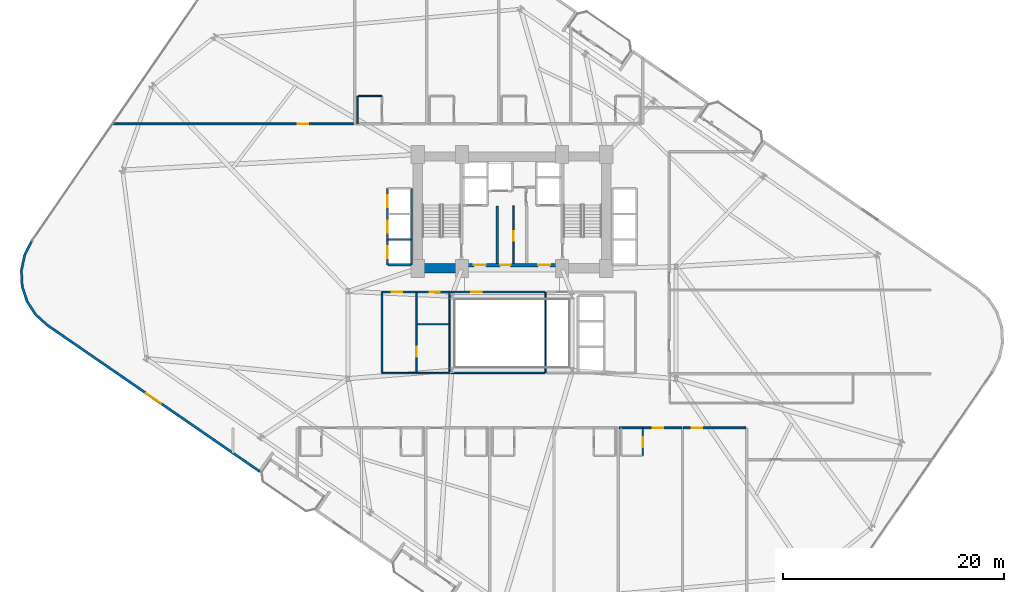
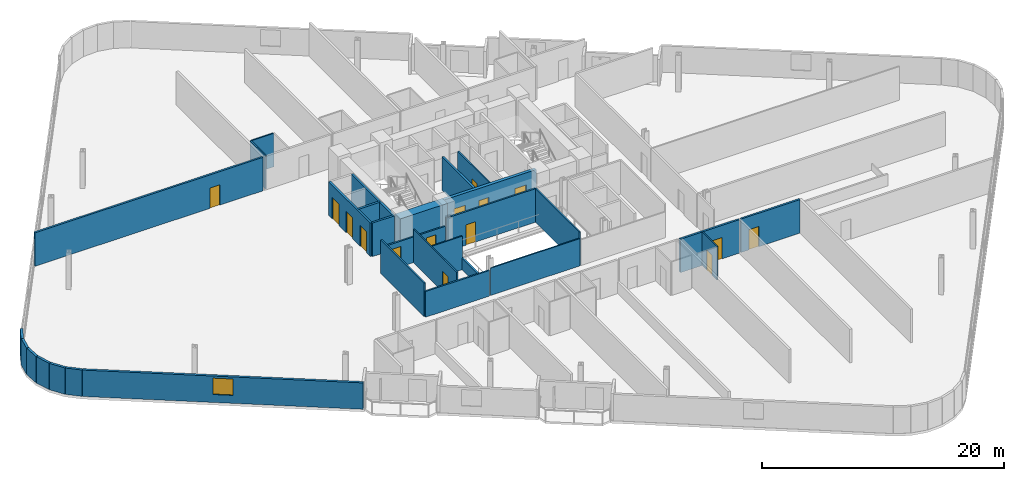
# One storey, part 18 of 24: 30 walls, 15 doors, 1 window, 16 openings.
"""IFC4 building model written with IfcOpenShell, lengths in metres."""

from ifc_helpers import new_model, si_unit, direction, frame, frame_2d, origin, place, context, subcontext, project, spatial, rectangle, extrude, material, layer, layer_set, type_object, element, fill, save


model = new_model("IFC4")

# Units and contexts
model_context = context("Model", 3, precision=1e-05, world=origin(), true_north=direction((0.0, 1.0)))
body_context = subcontext(model_context, "Body", "Model", "MODEL_VIEW")
ifc_project = project(units=[si_unit("LENGTHUNIT", "METRE"), si_unit("AREAUNIT", "SQUARE_METRE"), si_unit("VOLUMEUNIT", "CUBIC_METRE"), si_unit("PLANEANGLEUNIT", "RADIAN"), si_unit("MASSUNIT", "GRAM", prefix="KILO")], contexts=[model_context])

# Site, building, storey
site_placement = place(None, origin())
site = spatial("IfcSite", under=ifc_project, at=site_placement, CompositionType="ELEMENT")
building_placement = place(site_placement, origin())
building = spatial("IfcBuilding", under=site, at=building_placement, Name="Varnelok Gate Tower", CompositionType="ELEMENT")
storey_placement = place(building_placement, frame((0.0, 0.0, 67.699951171875)))
storey = spatial("IfcBuildingStorey", under=building, at=storey_placement, Name="L16", CompositionType="ELEMENT", Elevation=67.699951171875)

# Walls
ifc_material_1 = material(Name="Concrete C45/55", Category="concrete")
ifc_layer_1 = layer(ifc_material_1, 0.219970703125)
ifc_layer_set_1 = layer_set([ifc_layer_1], Name="Concrete C45/55")
wall_type_1 = type_object("IfcWallType", Name="EW-BALC-220", PredefinedType="SOLIDWALL", material=ifc_layer_set_1)
wall_1_placement = place(storey_placement, frame((-4.158203125, 31.24462890625, 0.0), z_axis=(0.0, 0.0, 1.0), x_axis=(-0.454777156549, -0.890605264908, 0.0)))
element("IfcWall", 1, at=wall_1_placement, inside=storey, type_object=wall_type_1, Name="L16 Perimeter Facade Closure Wall 1", PredefinedType="SOLIDWALL", context=body_context, shape_type="SweptSolid", body=[
    extrude(rectangle(XDim=1.43017578125, YDim=0.219970703125, at=frame_2d((0.715087890625, 0.0))), origin(), (0.0, 0.0, 1.0), 2.66015625),
])
for number, where, z_axis, x_axis, name in (
    (2, (-4.81396484375, 29.946533203125, 0.0), (0.0, 0.0, 1.0), (-0.208829011645, -0.977952168511, 0.0), "L16 Perimeter Facade Closure Wall 2"),
    (3, (-5.106201171875, 28.547119140625, 0.0), (0.0, 0.0, 1.0), (0.051254741739, -0.998685611917, 0.0), "L16 Perimeter Facade Closure Wall 3"),
    (4, (-5.026611328125, 27.1201171875, 0.0), (0.0, 0.0, 1.0), (0.308190297603, -0.95132472924, 0.0), "L16 Perimeter Facade Closure Wall 4"),
    (5, (-4.580078125, 25.76220703125, 0.0), (0.0, 0.0, 1.0), (0.543748195851, -0.839248413468, 0.0), "L16 Perimeter Facade Closure Wall 5"),
):
    element("IfcWall", number, at=place(storey_placement, frame(where, z_axis=z_axis, x_axis=x_axis)), inside=storey, type_object=wall_type_1, Name=name, PredefinedType="SOLIDWALL", context=body_context, shape_type="SweptSolid", body=[
        extrude(rectangle(XDim=1.4052734375, YDim=0.219970703125, at=frame_2d((0.70263671875, 0.0))), origin(), (0.0, 0.0, 1.0), 2.66015625),
    ])
wall_2_placement = place(storey_placement, frame((-3.79736328125, 24.56591796875, 0.0), z_axis=(0.0, 0.0, 1.0), x_axis=(0.742537711837, -0.66980425984, 0.0)))
element("IfcWall", 6, at=wall_2_placement, inside=storey, type_object=wall_type_1, Name="L16 Perimeter Facade Closure Wall 6", PredefinedType="SOLIDWALL", context=body_context, shape_type="SweptSolid", body=[
    extrude(rectangle(XDim=1.4130859375, YDim=0.219970703125, at=frame_2d((0.70654296875, 0.0))), origin(), (0.0, 0.0, 1.0), 2.66015625),
])

# Wall, opening, window
wall_3_placement = place(storey_placement, frame((-2.7275390625, 23.60498046875, 0.0), z_axis=(0.0, 0.0, 1.0), x_axis=(0.823535075462, -0.567265351915, 0.0)))
wall_3 = element("IfcWall", 7, at=wall_3_placement, inside=storey, type_object=wall_type_1, Name="L16 Perimeter Facade Closure Wall 7", PredefinedType="SOLIDWALL", context=body_context, shape_type="SweptSolid", body=[
    extrude(rectangle(XDim=23.2470703125, YDim=0.219970703125, at=frame_2d((11.62353515625, 0.0))), origin(), (0.0, 0.0, 1.0), 2.66015625),
])
opening_1_placement = place(wall_3_placement, frame((10.798583984375, 0.0, 0.800048828125)))
opening_1 = element("IfcOpeningElement", 8, at=opening_1_placement, cuts=wall_3, Name="Opening WN3", PredefinedType="OPENING", context=body_context, shape_type="SweptSolid", body=[
    extrude(rectangle(XDim=1.64990234375, YDim=1.64990234375, at=frame_2d((0.824951171875, 0.824951171875))), frame((0.0, 0.119873046875, 0.0), z_axis=(0.0, -1.0, 0.0), x_axis=(1.0, 0.0, 0.0)), (0.0, 0.0, 1.0), 0.239990234375),
])
ifc_material_2 = material(Name="Low-E Laminated Double Glazing IGU", Category="glass")
window_type = type_object("IfcWindowType", Name="WN-HTL-1650", PartitioningType="SINGLE_PANEL", PredefinedType="WINDOW", material=ifc_material_2)
window_placement = place(opening_1_placement, origin())
window = element("IfcWindow", 9, at=window_placement, inside=storey, type_object=window_type, Name="L16 Perimeter Vision Window 7", OverallHeight=1.64990234375, OverallWidth=1.64990234375, PartitioningType="SINGLE_PANEL", PredefinedType="WINDOW", context=body_context, shape_type="SweptSolid", body=[
    extrude(rectangle(XDim=1.64990234375, YDim=1.64990234375, at=frame_2d((0.824951171875, 0.824951171875))), frame((0.0, 0.030029296875, 0.0), z_axis=(0.0, -1.0, 0.0), x_axis=(1.0, 0.0, 0.0)), (0.0, 0.0, 1.0), 0.06005859375),
])
fill(opening_1, window)

# Wall, opening, door
ifc_material_3 = material(Name="Gypsum Plasterboard Acoustic Partition", Category="gypsum")
ifc_layer_2 = layer(ifc_material_3, 0.179931640625)
ifc_layer_set_2 = layer_set([ifc_layer_2], Name="Gypsum Plasterboard Acoustic Partition")
wall_type_2 = type_object("IfcWallType", Name="PW-CORR-180", PredefinedType="PARTITIONING", material=ifc_layer_set_2)
wall_4_placement = place(storey_placement, frame((48.8798828125, 14.35009765625, 0.0), z_axis=(0.0, 0.0, 1.0), x_axis=(1.0, 0.0, 0.0)))
wall_4 = element("IfcWall", 10, at=wall_4_placement, inside=storey, type_object=wall_type_2, Name="Interior Partition", PredefinedType="PARTITIONING", context=body_context, shape_type="SweptSolid", body=[
    extrude(rectangle(XDim=5.64013671875, YDim=0.179931640625, at=frame_2d((2.820068359375, 0.0))), origin(), (0.0, 0.0, 1.0), 3.380126953125),
])
opening_2_placement = place(wall_4_placement, frame((3.044677734375, 0.0, 0.0)))
opening_2 = element("IfcOpeningElement", 11, at=opening_2_placement, cuts=wall_4, Name="Opening D-HT", PredefinedType="OPENING", context=body_context, shape_type="SweptSolid", body=[
    extrude(rectangle(XDim=0.949951171875, YDim=2.14990234375, at=frame_2d((0.47509765625, 1.074951171875))), frame((0.0, 0.099853515625, 0.0), z_axis=(0.0, -1.0, 0.0), x_axis=(1.0, 0.0, 0.0)), (0.0, 0.0, 1.0), 0.199951171875),
])
ifc_material_4 = material(Name="Engineered Hardwood Timber", Category="wood")
door_type_1 = type_object("IfcDoorType", Name="DR-HTL-950", OperationType="NOTDEFINED", PredefinedType="DOOR", material=ifc_material_4)
door_1_placement = place(opening_2_placement, origin())
door_1 = element("IfcDoor", 12, at=door_1_placement, inside=storey, type_object=door_type_1, Name="L16 Guest Room 08 Entrance Door", OperationType="SINGLE_SWING_LEFT", OverallHeight=2.14990234375, OverallWidth=0.949951171875, PredefinedType="DOOR", context=body_context, shape_type="SweptSolid", body=[
    extrude(rectangle(XDim=0.949951171875, YDim=2.14990234375, at=frame_2d((0.47509765625, 1.074951171875))), frame((0.0, 0.02490234375, 0.0), z_axis=(0.0, -1.0, 0.0), x_axis=(1.0, 0.0, 0.0)), (0.0, 0.0, 1.0), 0.050048828125),
])
fill(opening_2, door_1)

wall_5_placement = place(storey_placement, frame((54.679931640625, 14.35009765625, 0.0), z_axis=(0.0, 0.0, 1.0), x_axis=(1.0, 0.0, 0.0)))
wall_5 = element("IfcWall", 13, at=wall_5_placement, inside=storey, type_object=wall_type_2, Name="Interior Partition", PredefinedType="PARTITIONING", context=body_context, shape_type="SweptSolid", body=[
    extrude(rectangle(XDim=5.64013671875, YDim=0.179931640625, at=frame_2d((2.820068359375, 0.0))), origin(), (0.0, 0.0, 1.0), 3.380126953125),
])
opening_3_placement = place(wall_5_placement, frame((0.751220703125, 0.0, 0.0)))
opening_3 = element("IfcOpeningElement", 14, at=opening_3_placement, cuts=wall_5, Name="Opening D-I2", PredefinedType="OPENING", context=body_context, shape_type="SweptSolid", body=[
    extrude(rectangle(XDim=0.949951171875, YDim=2.050048828125, at=frame_2d((0.47509765625, 1.02490234375))), frame((0.0, 0.099853515625, 0.0), z_axis=(0.0, -1.0, 0.0), x_axis=(1.0, 0.0, 0.0)), (0.0, 0.0, 1.0), 0.199951171875),
])
door_type_2 = type_object("IfcDoorType", Name="DR-INT-950", OperationType="NOTDEFINED", PredefinedType="DOOR", material=ifc_material_4)
door_2_placement = place(opening_3_placement, origin())
door_2 = element("IfcDoor", 15, at=door_2_placement, inside=storey, type_object=door_type_2, Name="L16 Wellness Spa Lounge Door", OperationType="SINGLE_SWING_LEFT", OverallHeight=2.050048828125, OverallWidth=0.949951171875, PredefinedType="DOOR", context=body_context, shape_type="SweptSolid", body=[
    extrude(rectangle(XDim=0.949951171875, YDim=2.050048828125, at=frame_2d((0.47509765625, 1.02490234375))), frame((0.0, 0.02490234375, 0.0), z_axis=(0.0, -1.0, 0.0), x_axis=(1.0, 0.0, 0.0)), (0.0, 0.0, 1.0), 0.050048828125),
])
fill(opening_3, door_2)

wall_6_placement = place(storey_placement, frame((3.17578125, 41.800048828125, 0.0), z_axis=(0.0, 0.0, 1.0), x_axis=(1.0, 0.0, 0.0)))
wall_6 = element("IfcWall", 16, at=wall_6_placement, inside=storey, type_object=wall_type_2, Name="Interior Partition", PredefinedType="PARTITIONING", context=body_context, shape_type="SweptSolid", body=[
    extrude(rectangle(XDim=21.744140625, YDim=0.179931640625, at=frame_2d((10.8720703125, 0.0))), origin(), (0.0, 0.0, 1.0), 3.380126953125),
])
opening_4_placement = place(wall_6_placement, frame((16.689208984375, 0.0, 0.0)))
opening_4 = element("IfcOpeningElement", 17, at=opening_4_placement, cuts=wall_6, Name="Opening D-I2", PredefinedType="OPENING", context=body_context, shape_type="SweptSolid", body=[
    extrude(rectangle(XDim=0.949951171875, YDim=2.050048828125, at=frame_2d((0.47509765625, 1.02490234375))), frame((0.0, 0.099853515625, 0.0), z_axis=(0.0, -1.0, 0.0), x_axis=(1.0, 0.0, 0.0)), (0.0, 0.0, 1.0), 0.199951171875),
])
door_3_placement = place(opening_4_placement, origin())
door_3 = element("IfcDoor", 18, at=door_3_placement, inside=storey, type_object=door_type_2, Name="L16 Sky Library Door", OperationType="SINGLE_SWING_LEFT", OverallHeight=2.050048828125, OverallWidth=0.949951171875, PredefinedType="DOOR", context=body_context, shape_type="SweptSolid", body=[
    extrude(rectangle(XDim=0.949951171875, YDim=2.050048828125, at=frame_2d((0.47509765625, 1.02490234375))), frame((0.0, 0.02490234375, 0.0), z_axis=(0.0, -1.0, 0.0), x_axis=(1.0, 0.0, 0.0)), (0.0, 0.0, 1.0), 0.050048828125),
])
fill(opening_4, door_3)

ifc_layer_3 = layer(ifc_material_3, 0.114990234375)
ifc_layer_set_3 = layer_set([ifc_layer_3], Name="Gypsum Plasterboard Acoustic Partition")
wall_type_3 = type_object("IfcWallType", Name="PW-ENS-125", PredefinedType="PARTITIONING", material=ifc_layer_set_3)
wall_7_placement = place(storey_placement, frame((51.011962890625, 11.830078125, 0.0), z_axis=(0.0, 0.0, 1.0), x_axis=(0.0, 1.0, 0.0)))
wall_7 = element("IfcWall", 19, at=wall_7_placement, inside=storey, type_object=wall_type_3, Name="Interior Partition", PredefinedType="PARTITIONING", context=body_context, shape_type="SweptSolid", body=[
    extrude(rectangle(XDim=2.52001953125, YDim=0.114990234375, at=frame_2d((1.260009765625, 0.0))), origin(), (0.0, 0.0, 1.0), 3.380126953125),
])
opening_5_placement = place(wall_7_placement, frame((0.760009765625, 0.0, 0.0)))
opening_5 = element("IfcOpeningElement", 20, at=opening_5_placement, cuts=wall_7, Name="Opening D-WC", PredefinedType="OPENING", context=body_context, shape_type="SweptSolid", body=[
    extrude(rectangle(XDim=0.89990234375, YDim=2.050048828125, at=frame_2d((0.449951171875, 1.02490234375))), frame((0.0, 0.0673828125, 0.0), z_axis=(0.0, -1.0, 0.0), x_axis=(1.0, 0.0, 0.0)), (0.0, 0.0, 1.0), 0.135009765625),
])
door_type_3 = type_object("IfcDoorType", Name="DR-BATH-900", OperationType="NOTDEFINED", PredefinedType="DOOR", material=ifc_material_4)
door_4_placement = place(opening_5_placement, origin())
door_4 = element("IfcDoor", 21, at=door_4_placement, inside=storey, type_object=door_type_3, Name="L16 Guest En-Suite 08 Door", OperationType="SINGLE_SWING_LEFT", OverallHeight=2.050048828125, OverallWidth=0.89990234375, PredefinedType="DOOR", context=body_context, shape_type="SweptSolid", body=[
    extrude(rectangle(XDim=0.89990234375, YDim=2.050048828125, at=frame_2d((0.449951171875, 1.02490234375))), frame((0.0, 0.02490234375, 0.0), z_axis=(0.0, -1.0, 0.0), x_axis=(1.0, 0.0, 0.0)), (0.0, 0.0, 1.0), 0.050048828125),
])
fill(opening_5, door_4)

# Walls
wall_8_placement = place(storey_placement, frame((25.300048828125, 44.320068359375, 0.0), z_axis=(0.0, 0.0, 1.0), x_axis=(1.0, 0.0, 0.0)))
element("IfcWall", 22, at=wall_8_placement, inside=storey, type_object=wall_type_3, Name="Interior Partition", PredefinedType="PARTITIONING", context=body_context, shape_type="SweptSolid", body=[
    extrude(rectangle(XDim=2.1240234375, YDim=0.114990234375, at=frame_2d((1.06201171875, 0.0))), origin(), (0.0, 0.0, 1.0), 3.380126953125),
])
wall_9_placement = place(storey_placement, frame((25.260009765625, 41.800048828125, 0.0), z_axis=(0.0, 0.0, 1.0), x_axis=(0.0, 1.0, 0.0)))
element("IfcWall", 23, at=wall_9_placement, inside=storey, type_object=wall_type_3, Name="Interior Partition", PredefinedType="PARTITIONING", context=body_context, shape_type="SweptSolid", body=[
    extrude(rectangle(XDim=2.52001953125, YDim=0.114990234375, at=frame_2d((1.260009765625, 0.0))), origin(), (0.0, 0.0, 1.0), 3.380126953125),
])
ifc_layer_4 = layer(ifc_material_3, 0.125)
ifc_layer_set_4 = layer_set([ifc_layer_4], Name="Gypsum Plasterboard Acoustic Partition")
wall_type_4 = type_object("IfcWallType", Name="PW-PART-125", PredefinedType="PARTITIONING", material=ifc_layer_set_4)
wall_10_placement = place(storey_placement, frame((33.679931640625, 19.320068359375, 0.0), z_axis=(0.0, 0.0, 1.0), x_axis=(1.0, 0.0, 0.0)))
element("IfcWall", 24, at=wall_10_placement, inside=storey, type_object=wall_type_4, Name="Interior Partition", PredefinedType="PARTITIONING", context=body_context, shape_type="SweptSolid", body=[
    extrude(rectangle(XDim=8.5, YDim=0.125, at=frame_2d((4.25, 0.0))), origin(), (0.0, 0.0, 1.0), 2.754150390625),
])
wall_11_placement = place(storey_placement, frame((42.219970703125, 19.320068359375, 0.0), z_axis=(0.0, 0.0, 1.0), x_axis=(0.0, 1.0, 0.0)))
element("IfcWall", 25, at=wall_11_placement, inside=storey, type_object=wall_type_4, Name="Interior Partition", PredefinedType="PARTITIONING", context=body_context, shape_type="SweptSolid", body=[
    extrude(rectangle(XDim=7.300048828125, YDim=0.125, at=frame_2d((3.64990234375, 0.0))), origin(), (0.0, 0.0, 1.0), 3.380126953125),
])

# Wall, opening, door
wall_12_placement = place(storey_placement, frame((39.35009765625, 29.199951171875, 0.0), z_axis=(0.0, 0.0, 1.0), x_axis=(0.0, 1.0, 0.0)))
wall_12 = element("IfcWall", 26, at=wall_12_placement, inside=storey, type_object=wall_type_4, Name="Interior Partition", PredefinedType="PARTITIONING", context=body_context, shape_type="SweptSolid", body=[
    extrude(rectangle(XDim=5.219970703125, YDim=0.125, at=frame_2d((2.60986328125, 0.0))), origin(), (0.0, 0.0, 1.0), 3.380126953125),
])
opening_6_placement = place(wall_12_placement, frame((2.050048828125, 0.0, 0.0)))
opening_6 = element("IfcOpeningElement", 27, at=opening_6_placement, cuts=wall_12, Name="Opening D-RS", PredefinedType="OPENING", context=body_context, shape_type="SweptSolid", body=[
    extrude(rectangle(XDim=0.85009765625, YDim=2.050048828125, at=frame_2d((0.425048828125, 1.02490234375))), frame((0.0, 0.072509765625, 0.0), z_axis=(0.0, -1.0, 0.0), x_axis=(1.0, 0.0, 0.0)), (0.0, 0.0, 1.0), 0.14501953125),
])
ifc_material_5 = material(Name="Galvanized Steel Grade S350GD", Category="steel")
door_type_4 = type_object("IfcDoorType", Name="DR-RISER-850", OperationType="NOTDEFINED", PredefinedType="DOOR", material=ifc_material_5)
door_5_placement = place(opening_6_placement, origin())
door_5 = element("IfcDoor", 28, at=door_5_placement, inside=storey, type_object=door_type_4, Name="L16 Housekeeping Linen Door", OperationType="SINGLE_SWING_RIGHT", OverallHeight=2.050048828125, OverallWidth=0.85009765625, PredefinedType="DOOR", context=body_context, shape_type="SweptSolid", body=[
    extrude(rectangle(XDim=0.85009765625, YDim=2.050048828125, at=frame_2d((0.425048828125, 1.02490234375))), frame((0.0, 0.02490234375, 0.0), z_axis=(0.0, -1.0, 0.0), x_axis=(1.0, 0.0, 0.0)), (0.0, 0.0, 1.0), 0.050048828125),
])
fill(opening_6, door_5)

wall_13_placement = place(storey_placement, frame((30.56005859375, 19.3798828125, 0.0), z_axis=(0.0, 0.0, 1.0), x_axis=(0.0, 1.0, 0.0)))
wall_13 = element("IfcWall", 29, at=wall_13_placement, inside=storey, type_object=wall_type_4, Name="Interior Partition", PredefinedType="PARTITIONING", context=body_context, shape_type="SweptSolid", body=[
    extrude(rectangle(XDim=7.16015625, YDim=0.125, at=frame_2d((3.580078125, 0.0))), origin(), (0.0, 0.0, 1.0), 3.380126953125),
])
opening_7_placement = place(wall_13_placement, frame((1.39990234375, 0.0, 0.0)))
opening_7 = element("IfcOpeningElement", 30, at=opening_7_placement, cuts=wall_13, Name="Opening D-I3", PredefinedType="OPENING", context=body_context, shape_type="SweptSolid", body=[
    extrude(rectangle(XDim=0.919921875, YDim=2.050048828125, at=frame_2d((0.4599609375, 1.02490234375))), frame((0.0, 0.072509765625, 0.0), z_axis=(0.0, -1.0, 0.0), x_axis=(1.0, 0.0, 0.0)), (0.0, 0.0, 1.0), 0.14501953125),
])
door_type_5 = type_object("IfcDoorType", Name="DR-INT-920", OperationType="NOTDEFINED", PredefinedType="DOOR", material=ifc_material_4)
door_6_placement = place(opening_7_placement, origin())
door_6 = element("IfcDoor", 31, at=door_6_placement, inside=storey, type_object=door_type_5, Name="L16 Floor Linen Store Door", OperationType="SINGLE_SWING_RIGHT", OverallHeight=2.050048828125, OverallWidth=0.919921875, PredefinedType="DOOR", context=body_context, shape_type="SweptSolid", body=[
    extrude(rectangle(XDim=0.919921875, YDim=2.050048828125, at=frame_2d((0.4599609375, 1.02490234375))), frame((0.0, 0.02490234375, 0.0), z_axis=(0.0, -1.0, 0.0), x_axis=(1.0, 0.0, 0.0)), (0.0, 0.0, 1.0), 0.050048828125),
])
fill(opening_7, door_6)

# Wall
wall_14_placement = place(storey_placement, frame((30.639892578125, 23.7099609375, 0.0), z_axis=(0.0, 0.0, 1.0), x_axis=(1.0, 0.0, 0.0)))
element("IfcWall", 32, at=wall_14_placement, inside=storey, type_object=wall_type_4, Name="Interior Partition", PredefinedType="PARTITIONING", context=body_context, shape_type="SweptSolid", body=[
    extrude(rectangle(XDim=2.880126953125, YDim=0.125, at=frame_2d((1.43994140625, 0.0))), origin(), (0.0, 0.0, 1.0), 3.380126953125),
])

# Wall, opening, door
ifc_layer_5 = layer(ifc_material_3, 0.14990234375)
ifc_layer_set_5 = layer_set([ifc_layer_5], Name="Gypsum Plasterboard Acoustic Partition")
wall_type_5 = type_object("IfcWallType", Name="PW-PART-150", PredefinedType="PARTITIONING", material=ifc_layer_set_5)
wall_15_placement = place(storey_placement, frame((33.679931640625, 26.6201171875, 0.0), z_axis=(0.0, 0.0, 1.0), x_axis=(1.0, 0.0, 0.0)))
wall_15 = element("IfcWall", 33, at=wall_15_placement, inside=storey, type_object=wall_type_5, Name="Interior Partition", PredefinedType="PARTITIONING", context=body_context, shape_type="SweptSolid", body=[
    extrude(rectangle(XDim=8.5, YDim=0.14990234375, at=frame_2d((4.25, 0.0))), origin(), (0.0, 0.0, 1.0), 3.380126953125),
])
opening_8_placement = place(wall_15_placement, frame((1.85009765625, 0.0, 0.0)))
opening_8 = element("IfcOpeningElement", 34, at=opening_8_placement, cuts=wall_15, Name="Opening D-I3", PredefinedType="OPENING", context=body_context, shape_type="SweptSolid", body=[
    extrude(rectangle(XDim=0.919921875, YDim=2.050048828125, at=frame_2d((0.4599609375, 1.02490234375))), frame((0.0, 0.0849609375, 0.0), z_axis=(0.0, -1.0, 0.0), x_axis=(1.0, 0.0, 0.0)), (0.0, 0.0, 1.0), 0.169921875),
])
door_7_placement = place(opening_8_placement, origin())
door_7 = element("IfcDoor", 35, at=door_7_placement, inside=storey, type_object=door_type_5, Name="L16 Concierge Reading Salon Door", OperationType="SINGLE_SWING_RIGHT", OverallHeight=2.050048828125, OverallWidth=0.919921875, PredefinedType="DOOR", context=body_context, shape_type="SweptSolid", body=[
    extrude(rectangle(XDim=0.919921875, YDim=2.050048828125, at=frame_2d((0.4599609375, 1.02490234375))), frame((0.0, 0.02490234375, 0.0), z_axis=(0.0, -1.0, 0.0), x_axis=(1.0, 0.0, 0.0)), (0.0, 0.0, 1.0), 0.050048828125),
])
fill(opening_8, door_7)

# Wall, openings, doors
wall_16_placement = place(storey_placement, frame((27.4599609375, 26.6201171875, 0.0), z_axis=(0.0, 0.0, 1.0), x_axis=(1.0, 0.0, 0.0)))
wall_16 = element("IfcWall", 36, at=wall_16_placement, inside=storey, type_object=wall_type_5, Name="Interior Partition", PredefinedType="PARTITIONING", context=body_context, shape_type="SweptSolid", body=[
    extrude(rectangle(XDim=6.10009765625, YDim=0.14990234375, at=frame_2d((3.050048828125, 0.0))), origin(), (0.0, 0.0, 1.0), 2.592041015625),
])
opening_9_placement = place(wall_16_placement, frame((0.89990234375, 0.0, 0.0)))
opening_9 = element("IfcOpeningElement", 37, at=opening_9_placement, cuts=wall_16, Name="Opening D-I2", PredefinedType="OPENING", context=body_context, shape_type="SweptSolid", body=[
    extrude(rectangle(XDim=0.949951171875, YDim=2.050048828125, at=frame_2d((0.47509765625, 1.02490234375))), frame((0.0, 0.0849609375, 0.0), z_axis=(0.0, -1.0, 0.0), x_axis=(1.0, 0.0, 0.0)), (0.0, 0.0, 1.0), 0.169921875),
])
opening_10_placement = place(wall_16_placement, frame((4.302978515625, 0.0, 0.0)))
opening_10 = element("IfcOpeningElement", 38, at=opening_10_placement, cuts=wall_16, Name="Opening D-WC", PredefinedType="OPENING", context=body_context, shape_type="SweptSolid", body=[
    extrude(rectangle(XDim=0.89990234375, YDim=2.050048828125, at=frame_2d((0.449951171875, 1.02490234375))), frame((0.0, 0.0849609375, 0.0), z_axis=(0.0, -1.0, 0.0), x_axis=(1.0, 0.0, 0.0)), (0.0, 0.0, 1.0), 0.169921875),
])
door_8_placement = place(opening_10_placement, origin())
door_8 = element("IfcDoor", 39, at=door_8_placement, inside=storey, type_object=door_type_3, Name="L16 Accessible Floor WC Door", OperationType="SINGLE_SWING_LEFT", OverallHeight=2.050048828125, OverallWidth=0.89990234375, PredefinedType="DOOR", context=body_context, shape_type="SweptSolid", body=[
    extrude(rectangle(XDim=0.89990234375, YDim=2.050048828125, at=frame_2d((0.449951171875, 1.02490234375))), frame((0.0, 0.02490234375, 0.0), z_axis=(0.0, -1.0, 0.0), x_axis=(1.0, 0.0, 0.0)), (0.0, 0.0, 1.0), 0.050048828125),
])
fill(opening_10, door_8)
door_9_placement = place(opening_9_placement, origin())
door_9 = element("IfcDoor", 40, at=door_9_placement, inside=storey, type_object=door_type_2, Name="L16 Sky Library Door", OperationType="SINGLE_SWING_RIGHT", OverallHeight=2.050048828125, OverallWidth=0.949951171875, PredefinedType="DOOR", context=body_context, shape_type="SweptSolid", body=[
    extrude(rectangle(XDim=0.949951171875, YDim=2.050048828125, at=frame_2d((0.47509765625, 1.02490234375))), frame((0.0, 0.02490234375, 0.0), z_axis=(0.0, -1.0, 0.0), x_axis=(1.0, 0.0, 0.0)), (0.0, 0.0, 1.0), 0.050048828125),
])
fill(opening_9, door_9)

# Walls
wall_17_placement = place(storey_placement, frame((27.4599609375, 19.300048828125, 0.0), z_axis=(0.0, 0.0, 1.0), x_axis=(1.0, 0.0, 0.0)))
element("IfcWall", 41, at=wall_17_placement, inside=storey, type_object=wall_type_5, Name="Interior Partition", PredefinedType="PARTITIONING", context=body_context, shape_type="SweptSolid", body=[
    extrude(rectangle(XDim=6.10009765625, YDim=0.14990234375, at=frame_2d((3.050048828125, 0.0))), origin(), (0.0, 0.0, 1.0), 2.592041015625),
])
wall_18_placement = place(storey_placement, frame((27.4599609375, 19.3798828125, 0.0), z_axis=(0.0, 0.0, 1.0), x_axis=(0.0, 1.0, 0.0)))
element("IfcWall", 42, at=wall_18_placement, inside=storey, type_object=wall_type_5, Name="Interior Partition", PredefinedType="PARTITIONING", context=body_context, shape_type="SweptSolid", body=[
    extrude(rectangle(XDim=7.16015625, YDim=0.14990234375, at=frame_2d((3.580078125, 0.0))), origin(), (0.0, 0.0, 1.0), 3.380126953125),
])
wall_19_placement = place(storey_placement, frame((33.56005859375, 19.3798828125, 0.0), z_axis=(0.0, 0.0, 1.0), x_axis=(0.0, 1.0, 0.0)))
element("IfcWall", 43, at=wall_19_placement, inside=storey, type_object=wall_type_5, Name="Interior Partition", PredefinedType="PARTITIONING", context=body_context, shape_type="SweptSolid", body=[
    extrude(rectangle(XDim=7.16015625, YDim=0.14990234375, at=frame_2d((3.580078125, 0.0))), origin(), (0.0, 0.0, 1.0), 1.1650390625),
])
ifc_material_6 = material(Name="Concrete C35/45", Category="concrete")
ifc_layer_6 = layer(ifc_material_6, 0.199951171875)
ifc_layer_set_6 = layer_set([ifc_layer_6], Name="Concrete C35/45")
wall_type_6 = type_object("IfcWallType", Name="PW-SHAFT-200", PredefinedType="PARTITIONING", material=ifc_layer_set_6)
wall_20_placement = place(storey_placement, frame((37.860107421875, 29.199951171875, 0.0), z_axis=(0.0, 0.0, 1.0), x_axis=(0.0, 1.0, 0.0)))
element("IfcWall", 44, at=wall_20_placement, inside=storey, type_object=wall_type_6, Name="L16 West FF Lobby Rated Wall", PredefinedType="PARTITIONING", context=body_context, shape_type="SweptSolid", body=[
    extrude(rectangle(XDim=5.179931640625, YDim=0.199951171875, at=frame_2d((2.58984375, 0.0))), origin(), (0.0, 0.0, 1.0), 3.380126953125),
])
wall_21_placement = place(storey_placement, frame((28.02001953125, 31.375, 0.0), z_axis=(0.0, 0.0, 1.0), x_axis=(1.0, 0.0, 0.0)))
element("IfcWall", 45, at=wall_21_placement, inside=storey, type_object=wall_type_6, Name="L16 PL1 Divider", PredefinedType="PARTITIONING", context=body_context, shape_type="SweptSolid", body=[
    extrude(rectangle(XDim=2.06005859375, YDim=0.199951171875, at=frame_2d((1.030029296875, 0.0))), origin(), (0.0, 0.0, 1.0), 3.380126953125),
])
wall_22_placement = place(storey_placement, frame((28.0, 29.080078125, 0.0), z_axis=(0.0, 0.0, 1.0), x_axis=(1.0, 0.0, 0.0)))
element("IfcWall", 46, at=wall_22_placement, inside=storey, type_object=wall_type_6, Name="L16 PL Bank South Wall", PredefinedType="PARTITIONING", context=body_context, shape_type="SweptSolid", body=[
    extrude(rectangle(XDim=2.10009765625, YDim=0.199951171875, at=frame_2d((1.050048828125, 0.0))), origin(), (0.0, 0.0, 1.0), 3.380126953125),
])
wall_23_placement = place(storey_placement, frame((30.1201171875, 29.080078125, 0.0), z_axis=(0.0, 0.0, 1.0), x_axis=(0.0, 1.0, 0.0)))
element("IfcWall", 47, at=wall_23_placement, inside=storey, type_object=wall_type_6, Name="L16 PL Bank Back Wall", PredefinedType="PARTITIONING", context=body_context, shape_type="SweptSolid", body=[
    extrude(rectangle(XDim=6.889892578125, YDim=0.199951171875, at=frame_2d((3.44482421875, 0.0))), origin(), (0.0, 0.0, 1.0), 3.380126953125),
])

# Wall, openings, doors
wall_24_placement = place(storey_placement, frame((27.9599609375, 29.080078125, 0.0), z_axis=(0.0, 0.0, 1.0), x_axis=(0.0, 1.0, 0.0)))
wall_24 = element("IfcWall", 48, at=wall_24_placement, inside=storey, type_object=wall_type_6, Name="L16 PL Bank Front Wall", PredefinedType="PARTITIONING", context=body_context, shape_type="SweptSolid", body=[
    extrude(rectangle(XDim=6.889892578125, YDim=0.199951171875, at=frame_2d((3.44482421875, 0.0))), origin(), (0.0, 0.0, 1.0), 3.380126953125),
])
opening_11_placement = place(wall_24_placement, frame((0.590087890625, 0.0, 0.0)))
opening_11 = element("IfcOpeningElement", 49, at=opening_11_placement, cuts=wall_24, Name="Opening LD-PL1", PredefinedType="OPENING", context=body_context, shape_type="SweptSolid", body=[
    extrude(rectangle(XDim=1.10009765625, YDim=2.14990234375, at=frame_2d((0.550048828125, 1.074951171875))), frame((0.0, 0.10986328125, 0.0), z_axis=(0.0, -1.0, 0.0), x_axis=(1.0, 0.0, 0.0)), (0.0, 0.0, 1.0), 0.219970703125),
])
opening_12_placement = place(wall_24_placement, frame((2.889892578125, 0.0, 0.0)))
opening_12 = element("IfcOpeningElement", 50, at=opening_12_placement, cuts=wall_24, Name="Opening LD-PL2", PredefinedType="OPENING", context=body_context, shape_type="SweptSolid", body=[
    extrude(rectangle(XDim=1.10009765625, YDim=2.14990234375, at=frame_2d((0.550048828125, 1.074951171875))), frame((0.0, 0.10986328125, 0.0), z_axis=(0.0, -1.0, 0.0), x_axis=(1.0, 0.0, 0.0)), (0.0, 0.0, 1.0), 0.219970703125),
])
opening_13_placement = place(wall_24_placement, frame((5.18994140625, 0.0, 0.0)))
opening_13 = element("IfcOpeningElement", 51, at=opening_13_placement, cuts=wall_24, Name="Opening LD-PL3", PredefinedType="OPENING", context=body_context, shape_type="SweptSolid", body=[
    extrude(rectangle(XDim=1.10009765625, YDim=2.14990234375, at=frame_2d((0.550048828125, 1.074951171875))), frame((0.0, 0.10986328125, 0.0), z_axis=(0.0, -1.0, 0.0), x_axis=(1.0, 0.0, 0.0)), (0.0, 0.0, 1.0), 0.219970703125),
])
door_type_6 = type_object("IfcDoorType", Name="DR-LIFT-PAX1100", OperationType="SLIDING_TO_LEFT", PredefinedType="DOOR", material=ifc_material_5)
door_10_placement = place(opening_11_placement, origin())
door_10 = element("IfcDoor", 52, at=door_10_placement, inside=storey, type_object=door_type_6, Name="L16 Passenger Lift Landing Door LD-PL1", OperationType="SLIDING_TO_LEFT", OverallHeight=2.14990234375, OverallWidth=1.10009765625, PredefinedType="DOOR", context=body_context, shape_type="SweptSolid", body=[
    extrude(rectangle(XDim=1.10009765625, YDim=2.14990234375, at=frame_2d((0.550048828125, 1.074951171875))), frame((0.0, 0.02490234375, 0.0), z_axis=(0.0, -1.0, 0.0), x_axis=(1.0, 0.0, 0.0)), (0.0, 0.0, 1.0), 0.050048828125),
])
fill(opening_11, door_10)
door_11_placement = place(opening_12_placement, origin())
door_11 = element("IfcDoor", 53, at=door_11_placement, inside=storey, type_object=door_type_6, Name="L16 Passenger Lift Landing Door LD-PL2", OperationType="SLIDING_TO_LEFT", OverallHeight=2.14990234375, OverallWidth=1.10009765625, PredefinedType="DOOR", context=body_context, shape_type="SweptSolid", body=[
    extrude(rectangle(XDim=1.10009765625, YDim=2.14990234375, at=frame_2d((0.550048828125, 1.074951171875))), frame((0.0, 0.02490234375, 0.0), z_axis=(0.0, -1.0, 0.0), x_axis=(1.0, 0.0, 0.0)), (0.0, 0.0, 1.0), 0.050048828125),
])
fill(opening_12, door_11)
door_12_placement = place(opening_13_placement, origin())
door_12 = element("IfcDoor", 54, at=door_12_placement, inside=storey, type_object=door_type_6, Name="L16 Passenger Lift Landing Door LD-PL3", OperationType="SLIDING_TO_LEFT", OverallHeight=2.14990234375, OverallWidth=1.10009765625, PredefinedType="DOOR", context=body_context, shape_type="SweptSolid", body=[
    extrude(rectangle(XDim=1.10009765625, YDim=2.14990234375, at=frame_2d((0.550048828125, 1.074951171875))), frame((0.0, 0.02490234375, 0.0), z_axis=(0.0, -1.0, 0.0), x_axis=(1.0, 0.0, 0.0)), (0.0, 0.0, 1.0), 0.050048828125),
])
fill(opening_13, door_12)

# Wall
ifc_material_7 = material(Name="Concrete C70/85", Category="concrete")
ifc_layer_7 = layer(ifc_material_7, 0.85009765625)
ifc_layer_set_7 = layer_set([ifc_layer_7], Name="Concrete C70/85")
wall_type_7 = type_object("IfcWallType", Name="SW-CORE-850", PredefinedType="SHEAR", material=ifc_layer_set_7)
wall_25_placement = place(storey_placement, frame((30.280029296875, 28.77490234375, 0.0), z_axis=(0.0, 0.0, 1.0), x_axis=(1.0, 0.0, 0.0)))
element("IfcWall", 55, at=wall_25_placement, inside=storey, type_object=wall_type_7, Name="L16 Rear Core South-West Shear Wall", PredefinedType="SHEAR", context=body_context, shape_type="SweptSolid", body=[
    extrude(rectangle(XDim=4.52001953125, YDim=0.85009765625, at=frame_2d((2.260009765625, 0.0))), origin(), (0.0, 0.0, 1.0), 3.380126953125),
])

# Wall, openings, doors
ifc_material_8 = material(Name="Concrete C60/75", Category="concrete")
ifc_layer_8 = layer(ifc_material_8, 0.300048828125)
ifc_layer_set_8 = layer_set([ifc_layer_8], Name="Concrete C60/75")
wall_type_8 = type_object("IfcWallType", Name="SW-SHAFT-300", PredefinedType="SHEAR", material=ifc_layer_set_8)
wall_26_placement = place(storey_placement, frame((34.800048828125, 29.050048828125, 0.0), z_axis=(0.0, 0.0, 1.0), x_axis=(1.0, 0.0, 0.0)))
wall_26 = element("IfcWall", 56, at=wall_26_placement, inside=storey, type_object=wall_type_8, Name="L16 Rear Core Central Lobby Shear Wall", PredefinedType="SHEAR", context=body_context, shape_type="SweptSolid", body=[
    extrude(rectangle(XDim=8.800048828125, YDim=0.300048828125, at=frame_2d((4.39990234375, 0.0))), origin(), (0.0, 0.0, 1.0), 3.380126953125),
])
opening_14_placement = place(wall_26_placement, frame((0.949951171875, 0.0, 0.0)))
opening_14 = element("IfcOpeningElement", 57, at=opening_14_placement, cuts=wall_26, Name="Opening D-FF", PredefinedType="OPENING", context=body_context, shape_type="SweptSolid", body=[
    extrude(rectangle(XDim=1.10009765625, YDim=2.14990234375, at=frame_2d((0.550048828125, 1.074951171875))), frame((0.0, 0.159912109375, 0.0), z_axis=(0.0, -1.0, 0.0), x_axis=(1.0, 0.0, 0.0)), (0.0, 0.0, 1.0), 0.320068359375),
])
opening_15_placement = place(wall_26_placement, frame((6.75, 0.0, 0.0)))
opening_15 = element("IfcOpeningElement", 58, at=opening_15_placement, cuts=wall_26, Name="Opening D-FF", PredefinedType="OPENING", context=body_context, shape_type="SweptSolid", body=[
    extrude(rectangle(XDim=1.10009765625, YDim=2.14990234375, at=frame_2d((0.550048828125, 1.074951171875))), frame((0.0, 0.159912109375, 0.0), z_axis=(0.0, -1.0, 0.0), x_axis=(1.0, 0.0, 0.0)), (0.0, 0.0, 1.0), 0.320068359375),
])
opening_16_placement = place(wall_26_placement, frame((3.320068359375, 0.0, 0.0)))
opening_16 = element("IfcOpeningElement", 59, at=opening_16_placement, cuts=wall_26, Name="Opening D-CR", PredefinedType="OPENING", context=body_context, shape_type="SweptSolid", body=[
    extrude(rectangle(XDim=0.949951171875, YDim=2.14990234375, at=frame_2d((0.47509765625, 1.074951171875))), frame((0.0, 0.159912109375, 0.0), z_axis=(0.0, -1.0, 0.0), x_axis=(1.0, 0.0, 0.0)), (0.0, 0.0, 1.0), 0.320068359375),
])
door_type_7 = type_object("IfcDoorType", Name="DR-CORR-950", OperationType="NOTDEFINED", PredefinedType="DOOR", material=ifc_material_5)
door_13_placement = place(opening_16_placement, origin())
door_13 = element("IfcDoor", 60, at=door_13_placement, inside=storey, type_object=door_type_7, Name="L16 Core Service Passage Door", OperationType="SINGLE_SWING_LEFT", OverallHeight=2.14990234375, OverallWidth=0.949951171875, PredefinedType="DOOR", context=body_context, shape_type="SweptSolid", body=[
    extrude(rectangle(XDim=0.949951171875, YDim=2.14990234375, at=frame_2d((0.47509765625, 1.074951171875))), frame((0.0, 0.02490234375, 0.0), z_axis=(0.0, -1.0, 0.0), x_axis=(1.0, 0.0, 0.0)), (0.0, 0.0, 1.0), 0.050048828125),
])
fill(opening_16, door_13)
door_type_8 = type_object("IfcDoorType", Name="DR-FFLOB-1100", OperationType="NOTDEFINED", PredefinedType="DOOR", material=ifc_material_5)
door_14_placement = place(opening_14_placement, origin())
door_14 = element("IfcDoor", 61, at=door_14_placement, inside=storey, type_object=door_type_8, Name="L16 West Firefighting Lobby Fire Door", OperationType="SINGLE_SWING_RIGHT", OverallHeight=2.14990234375, OverallWidth=1.10009765625, PredefinedType="DOOR", context=body_context, shape_type="SweptSolid", body=[
    extrude(rectangle(XDim=1.10009765625, YDim=2.14990234375, at=frame_2d((0.550048828125, 1.074951171875))), frame((0.0, 0.02490234375, 0.0), z_axis=(0.0, -1.0, 0.0), x_axis=(1.0, 0.0, 0.0)), (0.0, 0.0, 1.0), 0.050048828125),
])
fill(opening_14, door_14)
door_15_placement = place(opening_15_placement, origin())
door_15 = element("IfcDoor", 62, at=door_15_placement, inside=storey, type_object=door_type_8, Name="L16 East Firefighting Lobby Fire Door", OperationType="SINGLE_SWING_LEFT", OverallHeight=2.14990234375, OverallWidth=1.10009765625, PredefinedType="DOOR", context=body_context, shape_type="SweptSolid", body=[
    extrude(rectangle(XDim=1.10009765625, YDim=2.14990234375, at=frame_2d((0.550048828125, 1.074951171875))), frame((0.0, 0.02490234375, 0.0), z_axis=(0.0, -1.0, 0.0), x_axis=(1.0, 0.0, 0.0)), (0.0, 0.0, 1.0), 0.050048828125),
])
fill(opening_15, door_15)

save(model, "model.ifc")
